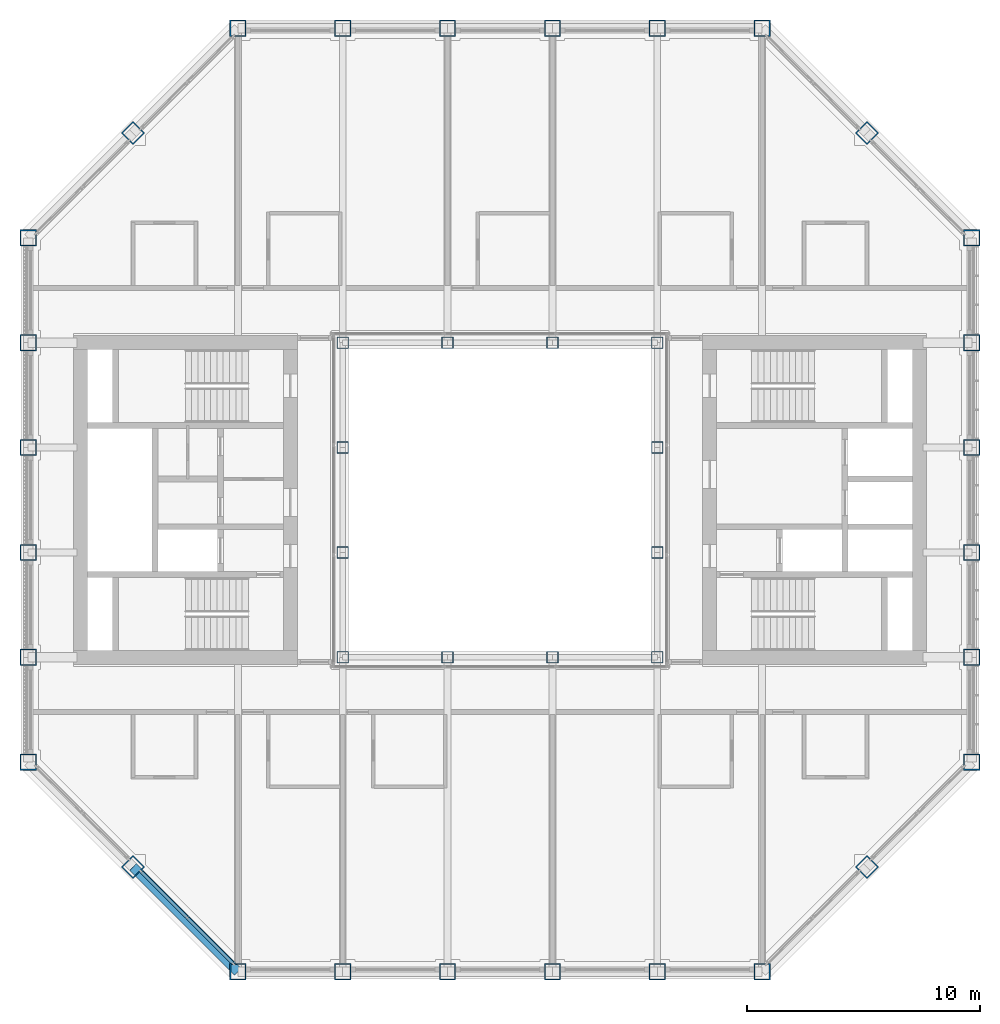
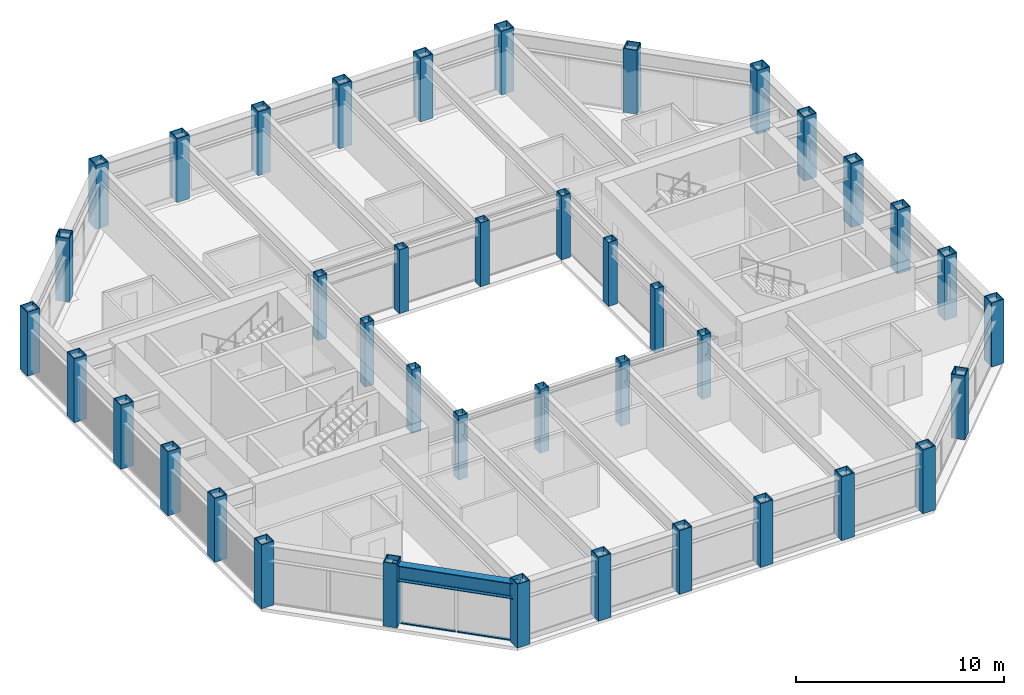
# One storey, part 1 of 16: 40 columns, 4 members, 1 beam, 1 element without a shape of its own.
"""IFC4 building model written with IfcOpenShell, lengths in metres."""

from ifc_helpers import new_model, si_unit, direction, frame, origin, origin_2d, place, context, subcontext, project, spatial, rectangle, hollow_rectangle, i_section, extrude, material, material_profile, profile_set, type_object, element, aggregate, save


model = new_model("IFC4")

# Units and contexts
model_context = context("Model", 3, precision=1e-05, world=origin(), true_north=direction((0.0, 1.0)))
body_context = subcontext(model_context, "Body", "Model", "MODEL_VIEW")
ifc_project = project(units=[si_unit("LENGTHUNIT", "METRE"), si_unit("AREAUNIT", "SQUARE_METRE"), si_unit("VOLUMEUNIT", "CUBIC_METRE"), si_unit("PLANEANGLEUNIT", "RADIAN"), si_unit("MASSUNIT", "GRAM", prefix="KILO")], contexts=[model_context])

# Site, building, storey
site_placement = place(None, origin())
site = spatial("IfcSite", under=ifc_project, at=site_placement, CompositionType="ELEMENT")
building_placement = place(site_placement, origin())
building = spatial("IfcBuilding", under=site, at=building_placement, Name="Msasa Ring Tower", CompositionType="ELEMENT")
storey_placement = place(building_placement, frame((0.0, 0.0, 215.800048828125)))
storey = spatial("IfcBuildingStorey", under=building, at=storey_placement, Name="L56", CompositionType="ELEMENT", Elevation=215.800048828125)

# Columns
ifc_material_1 = material(Name="Steel S355", Category="steel")
ifc_material_profile_1 = material_profile(ifc_material_1, hollow_rectangle(XDim=0.5, YDim=0.5, WallThickness=0.030029296875, at=origin_2d()), Name="BOX 500x500x30")
ifc_profile_set_1 = profile_set([ifc_material_profile_1], Name="Steel S355")
column_type_1 = type_object("IfcColumnType", Name="IC6 BOX 500x500x30", PredefinedType="COLUMN", material=ifc_profile_set_1)
for number, where, z_axis, x_axis, name in (
    (1, (-6.75, -6.75, 0.0), (0.0, 0.0, 1.0), (1.0, 0.0, 0.0), "Inner ring column IR-6.75-6.75 L56"),
    (2, (-6.75, -2.25, 0.0), (0.0, 0.0, 1.0), (1.0, 0.0, 0.0), "Inner ring column IR-6.75-2.25 L56"),
    (3, (-6.75, 2.25, 0.0), (0.0, 0.0, 1.0), (1.0, 0.0, 0.0), "Inner ring column IR-6.75+2.25 L56"),
    (4, (-6.75, 6.75, 0.0), (0.0, 0.0, 1.0), (1.0, 0.0, 0.0), "Inner ring column IR-6.75+6.75 L56"),
    (5, (-2.25, -6.75, 0.0), (0.0, 0.0, 1.0), (1.0, 0.0, 0.0), "Inner ring column IR-2.25-6.75 L56"),
    (6, (-2.25, 6.75, 0.0), (0.0, 0.0, 1.0), (1.0, 0.0, 0.0), "Inner ring column IR-2.25+6.75 L56"),
    (7, (2.25, -6.75, 0.0), (0.0, 0.0, 1.0), (1.0, 0.0, 0.0), "Inner ring column IR+2.25-6.75 L56"),
    (8, (2.25, 6.75, 0.0), (0.0, 0.0, 1.0), (1.0, 0.0, 0.0), "Inner ring column IR+2.25+6.75 L56"),
    (9, (6.75, -6.75, 0.0), (0.0, 0.0, 1.0), (1.0, 0.0, 0.0), "Inner ring column IR+6.75-6.75 L56"),
    (10, (6.75, -2.25, 0.0), (0.0, 0.0, 1.0), (1.0, 0.0, 0.0), "Inner ring column IR+6.75-2.25 L56"),
    (11, (6.75, 2.25, 0.0), (0.0, 0.0, 1.0), (1.0, 0.0, 0.0), "Inner ring column IR+6.75+2.25 L56"),
    (12, (6.75, 6.75, 0.0), (0.0, 0.0, 1.0), (1.0, 0.0, 0.0), "Inner ring column IR+6.75+6.75 L56"),
):
    element("IfcColumn", number, at=place(storey_placement, frame(where, z_axis=z_axis, x_axis=x_axis)), inside=storey, type_object=column_type_1, Name=name, PredefinedType="COLUMN", context=body_context, shape_type="SweptSolid", body=[
        extrude(hollow_rectangle(XDim=0.5, YDim=0.5, WallThickness=0.030029296875, at=origin_2d()), origin(), (0.0, 0.0, 1.0), 3.75),
    ])
ifc_material_2 = material(Name="Steel S355", Category="steel")
ifc_material_profile_2 = material_profile(ifc_material_2, hollow_rectangle(XDim=0.699951171875, YDim=0.699951171875, WallThickness=0.044921875, at=origin_2d()), Name="BOX 700x700x45")
ifc_profile_set_2 = profile_set([ifc_material_profile_2], Name="Steel S355")
column_type_2 = type_object("IfcColumnType", Name="TC6 BOX 700x700x45", PredefinedType="COLUMN", material=ifc_profile_set_2)
for number, where, z_axis, x_axis, name in (
    (13, (-11.25, -20.25, 0.0), (0.0, 0.0, 1.0), (0.0, 1.0, 0.0), "Tube column S-11.25 L56"),
    (14, (-11.25, 20.25, 0.0), (0.0, 0.0, 1.0), (0.0, 1.0, 0.0), "Tube column N-11.25 L56"),
    (15, (20.25, -11.25, 0.0), (0.0, 0.0, 1.0), (1.0, 0.0, 0.0), "Tube column E-11.25 L56"),
    (16, (-20.25, -11.25, 0.0), (0.0, 0.0, 1.0), (1.0, 0.0, 0.0), "Tube column W-11.25 L56"),
    (17, (-6.75, -20.25, 0.0), (0.0, 0.0, 1.0), (0.0, 1.0, 0.0), "Tube column S-6.75 L56"),
    (18, (-6.75, 20.25, 0.0), (0.0, 0.0, 1.0), (0.0, 1.0, 0.0), "Tube column N-6.75 L56"),
    (19, (20.25, -6.75, 0.0), (0.0, 0.0, 1.0), (1.0, 0.0, 0.0), "Tube column E-6.75 L56"),
    (20, (-20.25, -6.75, 0.0), (0.0, 0.0, 1.0), (1.0, 0.0, 0.0), "Tube column W-6.75 L56"),
    (21, (-2.25, -20.25, 0.0), (0.0, 0.0, 1.0), (0.0, 1.0, 0.0), "Tube column S-2.25 L56"),
    (22, (-2.25, 20.25, 0.0), (0.0, 0.0, 1.0), (0.0, 1.0, 0.0), "Tube column N-2.25 L56"),
    (23, (20.25, -2.25, 0.0), (0.0, 0.0, 1.0), (1.0, 0.0, 0.0), "Tube column E-2.25 L56"),
    (24, (-20.25, -2.25, 0.0), (0.0, 0.0, 1.0), (1.0, 0.0, 0.0), "Tube column W-2.25 L56"),
    (25, (2.25, -20.25, 0.0), (0.0, 0.0, 1.0), (0.0, 1.0, 0.0), "Tube column S+2.25 L56"),
    (26, (2.25, 20.25, 0.0), (0.0, 0.0, 1.0), (0.0, 1.0, 0.0), "Tube column N+2.25 L56"),
    (27, (20.25, 2.25, 0.0), (0.0, 0.0, 1.0), (1.0, 0.0, 0.0), "Tube column E+2.25 L56"),
    (28, (-20.25, 2.25, 0.0), (0.0, 0.0, 1.0), (1.0, 0.0, 0.0), "Tube column W+2.25 L56"),
    (29, (6.75, -20.25, 0.0), (0.0, 0.0, 1.0), (0.0, 1.0, 0.0), "Tube column S+6.75 L56"),
    (30, (6.75, 20.25, 0.0), (0.0, 0.0, 1.0), (0.0, 1.0, 0.0), "Tube column N+6.75 L56"),
    (31, (20.25, 6.75, 0.0), (0.0, 0.0, 1.0), (1.0, 0.0, 0.0), "Tube column E+6.75 L56"),
    (32, (-20.25, 6.75, 0.0), (0.0, 0.0, 1.0), (1.0, 0.0, 0.0), "Tube column W+6.75 L56"),
    (33, (11.25, -20.25, 0.0), (0.0, 0.0, 1.0), (0.0, 1.0, 0.0), "Tube column S+11.25 L56"),
    (34, (11.25, 20.25, 0.0), (0.0, 0.0, 1.0), (0.0, 1.0, 0.0), "Tube column N+11.25 L56"),
    (35, (20.25, 11.25, 0.0), (0.0, 0.0, 1.0), (1.0, 0.0, 0.0), "Tube column E+11.25 L56"),
    (36, (-20.25, 11.25, 0.0), (0.0, 0.0, 1.0), (1.0, 0.0, 0.0), "Tube column W+11.25 L56"),
    (37, (15.75, -15.75, 0.0), (0.0, 0.0, 1.0), (0.707106781187, -0.707106781187, 0.0), "Tube column SE L56"),
    (38, (15.75, 15.75, 0.0), (0.0, 0.0, 1.0), (0.707106781187, 0.707106781187, 0.0), "Tube column NE L56"),
    (39, (-15.75, 15.75, 0.0), (0.0, 0.0, 1.0), (0.707106781187, -0.707106781187, 0.0), "Tube column NW L56"),
    (40, (-15.75, -15.75, 0.0), (0.0, 0.0, 1.0), (0.707106781187, 0.707106781187, 0.0), "Tube column SW L56"),
):
    element("IfcColumn", number, at=place(storey_placement, frame(where, z_axis=z_axis, x_axis=x_axis)), inside=storey, type_object=column_type_2, Name=name, PredefinedType="COLUMN", context=body_context, shape_type="SweptSolid", body=[
        extrude(hollow_rectangle(XDim=0.699951171875, YDim=0.699951171875, WallThickness=0.044921875, at=origin_2d()), origin(), (0.0, 0.0, 1.0), 3.75),
    ])

# Curtain wall, members
ifc_material_3 = material(Name="Aluminium curtain wall with clear glass", Category="aluminium")
curtain_wall_type = type_object("IfcCurtainWallType", Name="CW-C CHAMFER CORNER CURTAIN WALL", PredefinedType="NOTDEFINED", material=ifc_material_3)
curtain_wall_placement = place(storey_placement, origin())
curtain_wall = element("IfcCurtainWall", 41, at=curtain_wall_placement, inside=storey, type_object=curtain_wall_type, Name="Chamfer corner curtain wall SW L56", PredefinedType="NOTDEFINED")
ifc_material_4 = material(Name="Aluminium transom", Category="aluminium")
ifc_material_profile_3 = material_profile(ifc_material_4, rectangle(XDim=0.139892578125, YDim=0.06494140625, at=origin_2d()), Name="AL 65x140")
ifc_profile_set_3 = profile_set([ifc_material_profile_3], Name="Aluminium transom")
member_type = type_object("IfcMemberType", Name="CW-C TRANSOM 65x140", PredefinedType="USERDEFINED", material=ifc_profile_set_3)
member_1_placement = place(storey_placement, frame((-15.38232421875, -15.976318359375, 0.032470703125), z_axis=(0.707106781187, -0.707106781187, 0.0), x_axis=(0.707106781187, 0.707106781187, 0.0)))
member_1 = element("IfcMember", 42, at=member_1_placement, type_object=member_type, Name="CW-C transom 1.1", ObjectType="TRANSOM", PredefinedType="USERDEFINED", context=body_context, shape_type="SweptSolid", body=[
    extrude(rectangle(XDim=0.139892578125, YDim=0.06494140625, at=origin_2d()), origin(), (0.0, 0.0, 1.0), 2.729248046875),
])
member_2_placement = place(storey_placement, frame((-15.38232421875, -15.976318359375, 2.596435546875), z_axis=(0.707106781187, -0.707106781187, 0.0), x_axis=(0.707106781187, 0.707106781187, 0.0)))
member_2 = element("IfcMember", 43, at=member_2_placement, type_object=member_type, Name="CW-C transom 1.2", ObjectType="TRANSOM", PredefinedType="USERDEFINED", context=body_context, shape_type="SweptSolid", body=[
    extrude(rectangle(XDim=0.139892578125, YDim=0.06494140625, at=origin_2d()), origin(), (0.0, 0.0, 1.0), 2.729248046875),
])
member_3_placement = place(storey_placement, frame((-13.40625, -17.952392578125, 0.032470703125), z_axis=(0.707106781187, -0.707106781187, 0.0), x_axis=(0.707106781187, 0.707106781187, 0.0)))
member_3 = element("IfcMember", 44, at=member_3_placement, type_object=member_type, Name="CW-C transom 2.1", ObjectType="TRANSOM", PredefinedType="USERDEFINED", context=body_context, shape_type="SweptSolid", body=[
    extrude(rectangle(XDim=0.139892578125, YDim=0.06494140625, at=origin_2d()), origin(), (0.0, 0.0, 1.0), 2.729248046875),
])
member_4_placement = place(storey_placement, frame((-13.40625, -17.952392578125, 2.596435546875), z_axis=(0.707106781187, -0.707106781187, 0.0), x_axis=(0.707106781187, 0.707106781187, 0.0)))
member_4 = element("IfcMember", 45, at=member_4_placement, type_object=member_type, Name="CW-C transom 2.2", ObjectType="TRANSOM", PredefinedType="USERDEFINED", context=body_context, shape_type="SweptSolid", body=[
    extrude(rectangle(XDim=0.139892578125, YDim=0.06494140625, at=origin_2d()), origin(), (0.0, 0.0, 1.0), 2.729248046875),
])
aggregate(curtain_wall, [member_1, member_2, member_3, member_4])

# Beam
ifc_material_5 = material(Name="Steel S355", Category="steel")
ifc_material_profile_4 = material_profile(ifc_material_5, i_section(OverallWidth=0.42041015625, OverallDepth=0.9208984375, WebThickness=0.021484375, FlangeThickness=0.03662109375, FilletRadius=0.024169921875, at=origin_2d()), Name="UB 914x419x388")
ifc_profile_set_4 = profile_set([ifc_material_profile_4], Name="Steel S355")
beam_type = type_object("IfcBeamType", Name="SB1 UB 914x419x388", PredefinedType="SPANDREL", material=ifc_profile_set_4)
beam_placement = place(storey_placement, frame((-15.75, -15.75, 3.08935546875), z_axis=(0.707106781187, -0.707106781187, 0.0), x_axis=(0.707106781187, 0.707106781187, 0.0)))
element("IfcBeam", 46, at=beam_placement, inside=storey, type_object=beam_type, Name="Spandrel SW to S-11.25 under L57", PredefinedType="SPANDREL", context=body_context, shape_type="SweptSolid", body=[
    extrude(i_section(OverallWidth=0.42041015625, OverallDepth=0.9208984375, WebThickness=0.021484375, FlangeThickness=0.03662109375, FilletRadius=0.024169921875, at=origin_2d()), origin(), (0.0, 0.0, 1.0), 6.364013671875),
])

save(model, "model.ifc")
